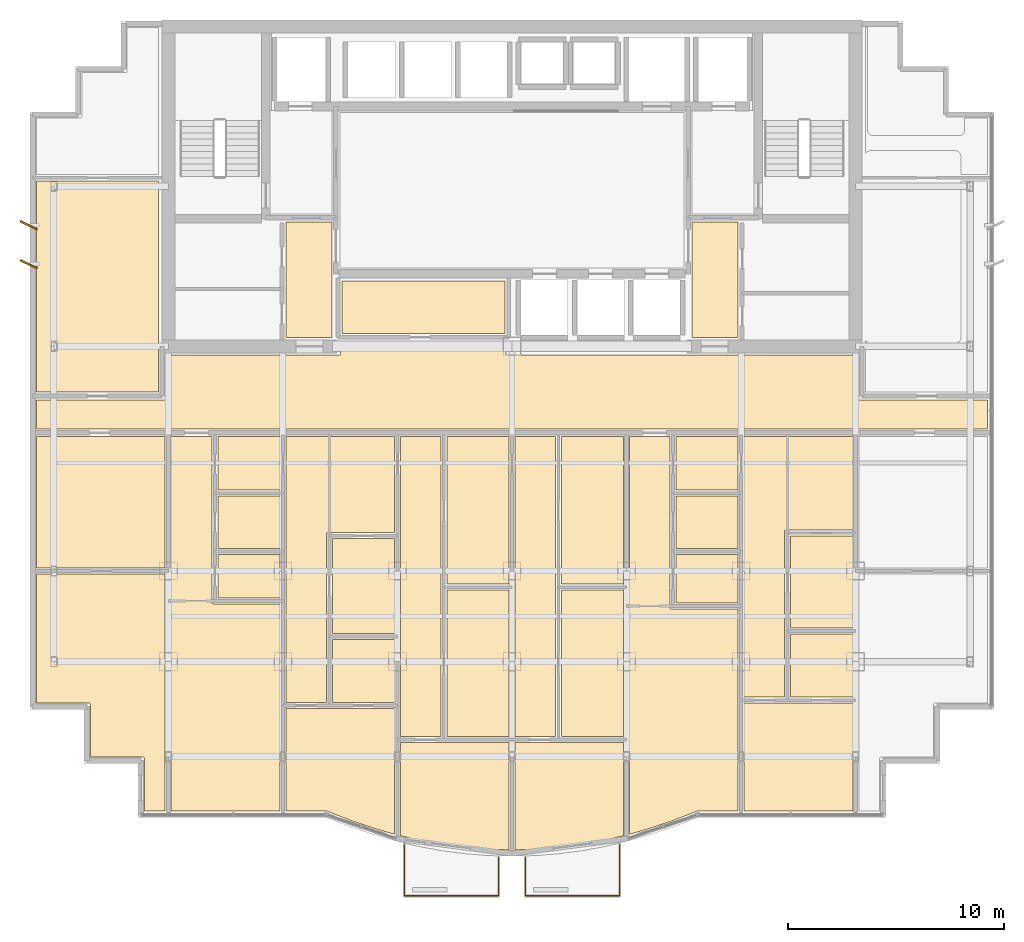
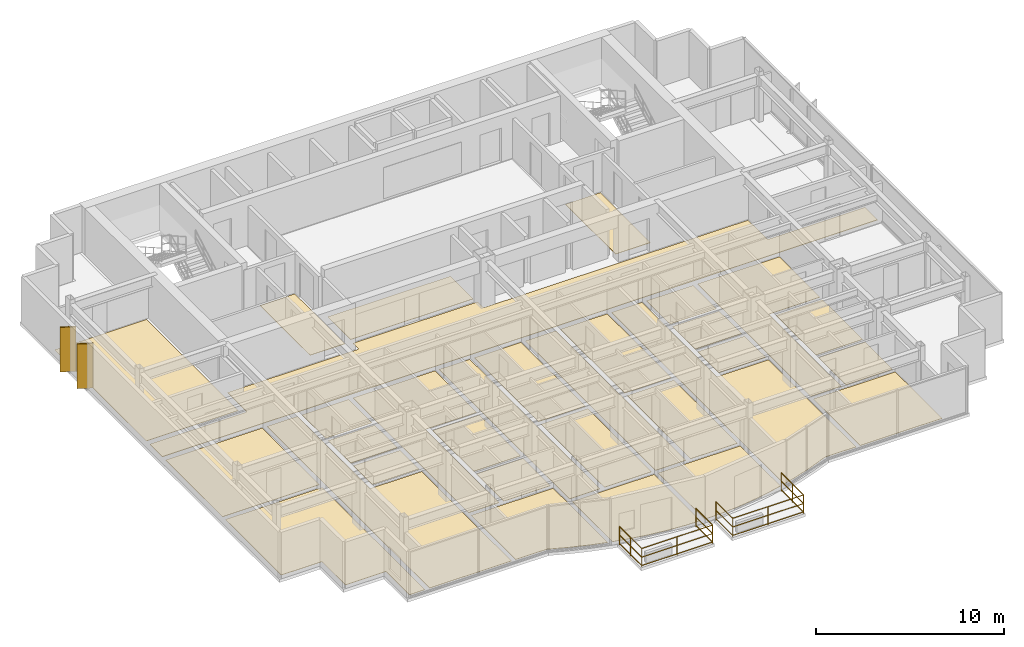
# One storey, part 12 of 13: 31 coverings, 2 railings, 2 shading devices.
"""IFC4 building model written with IfcOpenShell, lengths in metres."""

from ifc_helpers import new_model, si_unit, direction, frame, origin, origin_2d, place, context, subcontext, project, spatial, polyline, rectangle, circle, outline, extrude, source, transform, mapped, material, layer, layer_set, type_object, element, save


model = new_model("IFC4")

# Units and contexts
model_context = context("Model", 3, precision=1e-05, world=origin(), true_north=direction((0.0, 1.0)))
body_context = subcontext(model_context, "Body", "Model", "MODEL_VIEW")
ifc_project = project(units=[si_unit("LENGTHUNIT", "METRE"), si_unit("AREAUNIT", "SQUARE_METRE"), si_unit("VOLUMEUNIT", "CUBIC_METRE"), si_unit("PLANEANGLEUNIT", "RADIAN"), si_unit("MASSUNIT", "GRAM", prefix="KILO")], contexts=[model_context])

# Site, building, storey
site_placement = place(None, origin())
site = spatial("IfcSite", under=ifc_project, at=site_placement, CompositionType="ELEMENT")
building_placement = place(site_placement, origin())
building = spatial("IfcBuilding", under=site, at=building_placement, Name="Qianlan Lanfeng Residences", CompositionType="ELEMENT")
storey_placement = place(building_placement, frame((0.0, 0.0, 182.10009765625)))
storey = spatial("IfcBuildingStorey", under=building, at=storey_placement, Name="L50", CompositionType="ELEMENT", Elevation=182.10009765625)

# Coverings
ifc_material_1 = material(Name="Honed Taitung Granite Stone Flooring", Category="masonry")
ifc_layer_1 = layer(ifc_material_1, 0.030029296875)
ifc_layer_set_1 = layer_set([ifc_layer_1], Name="Honed Taitung Granite Stone Flooring")
covering_type_1 = type_object("IfcCoveringType", Name="FLR-STN-30", PredefinedType="FLOORING", material=ifc_layer_set_1)
covering_1_placement = place(storey_placement, origin())
element("IfcCovering", 1, at=covering_1_placement, inside=storey, type_object=covering_type_1, Name="L50 Residential Corridor Floor Finish", PredefinedType="FLOORING", context=body_context, shape_type="SweptSolid", body=[
    extrude(outline(polyline([(4.489990234375, 21.3798828125), (48.510009765625, 21.3798828125), (48.510009765625, 22.719970703125), (42.590087890625, 22.719970703125), (42.5830078125, 22.719970703125), (42.575927734375, 22.720947265625), (42.570068359375, 22.722900390625), (42.56298828125, 22.72509765625), (42.556884765625, 22.72802734375), (42.551025390625, 22.73193359375), (42.5458984375, 22.736083984375), (42.541015625, 22.740966796875), (42.535888671875, 22.74609375), (42.531982421875, 22.7509765625), (42.528076171875, 22.757080078125), (42.52490234375, 22.762939453125), (42.52294921875, 22.77001953125), (42.52099609375, 22.77587890625), (42.52001953125, 22.782958984375), (42.52001953125, 22.7900390625), (42.52001953125, 24.800048828125), (26.300048828125, 24.800048828125), (26.29296875, 24.800048828125), (26.285888671875, 24.801025390625), (26.280029296875, 24.802978515625), (26.27294921875, 24.804931640625), (26.26708984375, 24.80810546875), (26.260986328125, 24.81201171875), (26.256103515625, 24.81591796875), (26.2509765625, 24.821044921875), (26.24609375, 24.825927734375), (26.241943359375, 24.8310546875), (26.238037109375, 24.8369140625), (26.235107421875, 24.843017578125), (26.23291015625, 24.85009765625), (26.23095703125, 24.85595703125), (26.22998046875, 24.863037109375), (26.22998046875, 24.8701171875), (26.22998046875, 25.429931640625), (18.570068359375, 25.429931640625), (18.570068359375, 24.8701171875), (18.570068359375, 24.863037109375), (18.569091796875, 24.85595703125), (18.56689453125, 24.85009765625), (18.56494140625, 24.843017578125), (18.56201171875, 24.8369140625), (18.55810546875, 24.8310546875), (18.553955078125, 24.825927734375), (18.549072265625, 24.821044921875), (18.5439453125, 24.81591796875), (18.5390625, 24.81201171875), (18.532958984375, 24.80810546875), (18.527099609375, 24.804931640625), (18.52001953125, 24.802978515625), (18.513916015625, 24.801025390625), (18.507080078125, 24.800048828125), (18.5, 24.800048828125), (10.47998046875, 24.800048828125), (10.47998046875, 22.7900390625), (10.47998046875, 22.782958984375), (10.47900390625, 22.77587890625), (10.47705078125, 22.77001953125), (10.47509765625, 22.762939453125), (10.471923828125, 22.757080078125), (10.468017578125, 22.7509765625), (10.464111328125, 22.74609375), (10.458984375, 22.740966796875), (10.4541015625, 22.736083984375), (10.448974609375, 22.73193359375), (10.443115234375, 22.72802734375), (10.43701171875, 22.72509765625), (10.429931640625, 22.722900390625), (10.424072265625, 22.720947265625), (10.4169921875, 22.719970703125), (10.409912109375, 22.719970703125), (4.489990234375, 22.719970703125), (4.489990234375, 21.3798828125)])), origin(), (0.0, 0.0, 1.0), 0.02978515625),
])
covering_2_placement = place(storey_placement, origin())
element("IfcCovering", 2, at=covering_2_placement, inside=storey, type_object=covering_type_1, Name="L50 Lift Lobby Floor Finish", PredefinedType="FLOORING", context=body_context, shape_type="SweptSolid", body=[
    extrude(outline(polyline([(16.030029296875, 25.610107421875), (18.169921875, 25.610107421875), (18.169921875, 30.949951171875), (16.030029296875, 30.949951171875), (16.030029296875, 25.610107421875)])), origin(), (0.0, 0.0, 1.0), 0.02978515625),
])
covering_3_placement = place(storey_placement, origin())
element("IfcCovering", 3, at=covering_3_placement, inside=storey, type_object=covering_type_1, Name="L50 Lift Lobby Floor Finish", PredefinedType="FLOORING", context=body_context, shape_type="SweptSolid", body=[
    extrude(outline(polyline([(34.830078125, 25.610107421875), (36.969970703125, 25.610107421875), (36.969970703125, 30.949951171875), (34.830078125, 30.949951171875), (34.830078125, 25.610107421875)])), origin(), (0.0, 0.0, 1.0), 0.02978515625),
])
ifc_material_2 = material(Name="Slip-Resistant Porcelain Tile Flooring")
ifc_layer_2 = layer(ifc_material_2, 0.02001953125)
ifc_layer_set_2 = layer_set([ifc_layer_2], Name="Slip-Resistant Porcelain Tile Flooring")
covering_type_2 = type_object("IfcCoveringType", Name="FLR-TIL-20", PredefinedType="FLOORING", material=ifc_layer_set_2)
covering_4_placement = place(storey_placement, origin())
element("IfcCovering", 4, at=covering_4_placement, inside=storey, type_object=covering_type_2, Name="L50 Kitchen Floor Finish", PredefinedType="FLOORING", context=body_context, shape_type="SweptSolid", body=[
    extrude(outline(polyline([(12.889892578125, 15.840087890625), (15.760009765625, 15.840087890625), (15.760009765625, 18.260009765625), (12.889892578125, 18.260009765625), (12.889892578125, 15.840087890625)])), origin(), (0.0, 0.0, 1.0), 0.02001953125),
])
covering_5_placement = place(storey_placement, origin())
element("IfcCovering", 5, at=covering_5_placement, inside=storey, type_object=covering_type_2, Name="L50 Bathroom Floor Finish", PredefinedType="FLOORING", context=body_context, shape_type="SweptSolid", body=[
    extrude(outline(polyline([(12.889892578125, 18.5400390625), (15.760009765625, 18.5400390625), (15.760009765625, 21.030029296875), (12.889892578125, 21.030029296875), (12.889892578125, 18.5400390625)])), origin(), (0.0, 0.0, 1.0), 0.02001953125),
])
covering_6_placement = place(storey_placement, origin())
element("IfcCovering", 6, at=covering_6_placement, inside=storey, type_object=covering_type_2, Name="L50 En-Suite Bathroom Floor Finish", PredefinedType="FLOORING", context=body_context, shape_type="SweptSolid", body=[
    extrude(outline(polyline([(18.18994140625, 8.714111328125), (21.070068359375, 8.714111328125), (21.070068359375, 11.634033203125), (18.18994140625, 11.634033203125), (18.18994140625, 8.714111328125)])), origin(), (0.0, 0.0, 1.0), 0.02001953125),
])
covering_7_placement = place(storey_placement, origin())
element("IfcCovering", 7, at=covering_7_placement, inside=storey, type_object=covering_type_2, Name="L50 Kitchen Floor Finish", PredefinedType="FLOORING", context=body_context, shape_type="SweptSolid", body=[
    extrude(outline(polyline([(34.090087890625, 15.840087890625), (36.9599609375, 15.840087890625), (36.9599609375, 18.260009765625), (34.090087890625, 18.260009765625), (34.090087890625, 15.840087890625)])), origin(), (0.0, 0.0, 1.0), 0.02001953125),
])
covering_8_placement = place(storey_placement, origin())
element("IfcCovering", 8, at=covering_8_placement, inside=storey, type_object=covering_type_2, Name="L50 Bathroom Floor Finish", PredefinedType="FLOORING", context=body_context, shape_type="SweptSolid", body=[
    extrude(outline(polyline([(34.090087890625, 18.5400390625), (36.9599609375, 18.5400390625), (36.9599609375, 21.030029296875), (34.090087890625, 21.030029296875), (34.090087890625, 18.5400390625)])), origin(), (0.0, 0.0, 1.0), 0.02001953125),
])
covering_9_placement = place(storey_placement, origin())
element("IfcCovering", 9, at=covering_9_placement, inside=storey, type_object=covering_type_2, Name="L50 En-Suite Bathroom Floor Finish", PredefinedType="FLOORING", context=body_context, shape_type="SweptSolid", body=[
    extrude(outline(polyline([(39.389892578125, 8.9599609375), (42.27001953125, 8.9599609375), (42.27001953125, 11.8798828125), (39.389892578125, 11.8798828125), (39.389892578125, 8.9599609375)])), origin(), (0.0, 0.0, 1.0), 0.02001953125),
])
ifc_material_3 = material(Name="Engineered Smoked Oak Timber Flooring", Category="wood")
ifc_layer_3 = layer(ifc_material_3, 0.02197265625)
ifc_layer_set_3 = layer_set([ifc_layer_3], Name="Engineered Smoked Oak Timber Flooring")
covering_type_3 = type_object("IfcCoveringType", Name="FLR-TIM-22", PredefinedType="FLOORING", material=ifc_layer_set_3)
covering_10_placement = place(storey_placement, origin())
element("IfcCovering", 10, at=covering_10_placement, inside=storey, type_object=covering_type_3, Name="L50 Resident Study Salon Floor Finish", PredefinedType="FLOORING", context=body_context, shape_type="SweptSolid", body=[
    extrude(outline(polyline([(18.6298828125, 25.800048828125), (26.169921875, 25.800048828125), (26.169921875, 28.22998046875), (18.6298828125, 28.22998046875), (18.6298828125, 25.800048828125)])), origin(), (0.0, 0.0, 1.0), 0.02197265625),
])
covering_11_placement = place(storey_placement, origin())
element("IfcCovering", 11, at=covering_11_placement, inside=storey, type_object=covering_type_3, Name="L50 Living and Dining Room Floor Finish", PredefinedType="FLOORING", context=body_context, shape_type="SweptSolid", body=[
    extrude(outline(polyline([(15.77001953125, 3.68994140625), (15.77001953125, 13.280029296875), (12.679931640625, 13.280029296875), (12.673095703125, 13.280029296875), (12.666015625, 13.281005859375), (12.659912109375, 13.282958984375), (12.653076171875, 13.284912109375), (12.64697265625, 13.2880859375), (12.64111328125, 13.2919921875), (12.635986328125, 13.2958984375), (12.631103515625, 13.301025390625), (12.6259765625, 13.305908203125), (12.6220703125, 13.31103515625), (12.617919921875, 13.31689453125), (12.614990234375, 13.322998046875), (12.613037109375, 13.330078125), (12.611083984375, 13.3359375), (12.610107421875, 13.343017578125), (12.610107421875, 13.35009765625), (12.610107421875, 21.030029296875), (10.72998046875, 21.030029296875), (10.72998046875, 3.68994140625), (15.77001953125, 3.68994140625)])), origin(), (0.0, 0.0, 1.0), 0.02197265625),
])
covering_12_placement = place(storey_placement, origin())
element("IfcCovering", 12, at=covering_12_placement, inside=storey, type_object=covering_type_3, Name="L50 Private Study Floor Finish", PredefinedType="FLOORING", context=body_context, shape_type="SweptSolid", body=[
    extrude(outline(polyline([(12.889892578125, 15.56005859375), (12.889892578125, 13.56005859375), (15.77001953125, 13.56005859375), (15.77001953125, 15.56005859375), (12.889892578125, 15.56005859375)])), origin(), (0.0, 0.0, 1.0), 0.02197265625),
])
covering_13_placement = place(storey_placement, origin())
element("IfcCovering", 13, at=covering_13_placement, inside=storey, type_object=covering_type_3, Name="L50 Private Study Floor Finish", PredefinedType="FLOORING", context=body_context, shape_type="SweptSolid", body=[
    extrude(outline(polyline([(18.18994140625, 11.9140625), (21.070068359375, 11.9140625), (21.070068359375, 16.297119140625), (18.18994140625, 16.297119140625), (18.18994140625, 11.9140625)])), origin(), (0.0, 0.0, 1.0), 0.02197265625),
])
covering_14_placement = place(storey_placement, origin())
element("IfcCovering", 14, at=covering_14_placement, inside=storey, type_object=covering_type_3, Name="L50 Villa Family Sitting Room Floor Finish", PredefinedType="FLOORING", context=body_context, shape_type="SweptSolid", body=[
    extrude(outline(polyline([(16.030029296875, 8.714111328125), (17.909912109375, 8.714111328125), (17.909912109375, 16.507080078125), (17.909912109375, 16.513916015625), (17.910888671875, 16.52099609375), (17.9130859375, 16.527099609375), (17.9150390625, 16.533935546875), (17.91796875, 16.5400390625), (17.922119140625, 16.5458984375), (17.926025390625, 16.551025390625), (17.930908203125, 16.555908203125), (17.93603515625, 16.56103515625), (17.94091796875, 16.56494140625), (17.947021484375, 16.569091796875), (17.952880859375, 16.572021484375), (17.9599609375, 16.573974609375), (17.966064453125, 16.575927734375), (17.972900390625, 16.576904296875), (17.97998046875, 16.576904296875), (21.070068359375, 16.576904296875), (21.070068359375, 21.030029296875), (16.030029296875, 21.030029296875), (16.030029296875, 8.714111328125)])), origin(), (0.0, 0.0, 1.0), 0.02197265625),
])
covering_15_placement = place(storey_placement, origin())
element("IfcCovering", 15, at=covering_15_placement, inside=storey, type_object=covering_type_3, Name="L50 Master Bedroom Floor Finish", PredefinedType="FLOORING", context=body_context, shape_type="SweptSolid", body=[
    extrude(outline(polyline([(16.030029296875, 8.43408203125), (16.030029296875, 3.68994140625), (17.922119140625, 3.68994140625), (17.927978515625, 3.68994140625), (17.93505859375, 3.68896484375), (17.94091796875, 3.68701171875), (17.947021484375, 3.68505859375), (19.056884765625, 3.25), (20.1220703125, 2.888916015625), (21.070068359375, 2.616943359375), (21.070068359375, 8.43408203125), (16.030029296875, 8.43408203125)])), origin(), (0.0, 0.0, 1.0), 0.02197265625),
])
covering_16_placement = place(storey_placement, origin())
element("IfcCovering", 16, at=covering_16_placement, inside=storey, type_object=covering_type_3, Name="L50 Bedroom Floor Finish", PredefinedType="FLOORING", context=body_context, shape_type="SweptSolid", body=[
    extrude(outline(polyline([(21.330078125, 6.85888671875), (21.330078125, 2.550048828125), (22.2490234375, 2.333984375), (23.31201171875, 2.139892578125), (24.375, 2.001953125), (25.43701171875, 1.91796875), (26.3701171875, 1.89306640625), (26.3701171875, 6.85888671875), (21.330078125, 6.85888671875)])), origin(), (0.0, 0.0, 1.0), 0.02197265625),
])
covering_17_placement = place(storey_placement, origin())
element("IfcCovering", 17, at=covering_17_placement, inside=storey, type_object=covering_type_3, Name="L50 Private Study Floor Finish", PredefinedType="FLOORING", context=body_context, shape_type="SweptSolid", body=[
    extrude(outline(polyline([(23.489990234375, 7.138916015625), (26.3701171875, 7.138916015625), (26.3701171875, 13.909912109375), (23.489990234375, 13.909912109375), (23.489990234375, 7.138916015625)])), origin(), (0.0, 0.0, 1.0), 0.02197265625),
])
covering_18_placement = place(storey_placement, origin())
element("IfcCovering", 18, at=covering_18_placement, inside=storey, type_object=covering_type_3, Name="L50 Fitness Gymnasium Floor Finish", PredefinedType="FLOORING", context=body_context, shape_type="SweptSolid", body=[
    extrude(outline(polyline([(23.489990234375, 14.18994140625), (26.3701171875, 14.18994140625), (26.3701171875, 21.030029296875), (23.489990234375, 21.030029296875), (23.489990234375, 14.18994140625)])), origin(), (0.0, 0.0, 1.0), 0.02197265625),
])
covering_19_placement = place(storey_placement, origin())
element("IfcCovering", 19, at=covering_19_placement, inside=storey, type_object=covering_type_3, Name="L50 Home Office Floor Finish", PredefinedType="FLOORING", context=body_context, shape_type="SweptSolid", body=[
    extrude(outline(polyline([(21.330078125, 7.138916015625), (23.2099609375, 7.138916015625), (23.2099609375, 21.030029296875), (21.330078125, 21.030029296875), (21.330078125, 7.138916015625)])), origin(), (0.0, 0.0, 1.0), 0.02197265625),
])
covering_20_placement = place(storey_placement, origin())
element("IfcCovering", 20, at=covering_20_placement, inside=storey, type_object=covering_type_3, Name="L50 Guest Bedroom Floor Finish", PredefinedType="FLOORING", context=body_context, shape_type="SweptSolid", body=[
    extrude(outline(polyline([(26.6298828125, 6.85888671875), (26.6298828125, 1.89306640625), (27.56298828125, 1.91796875), (28.625, 2.0009765625), (29.68701171875, 2.139892578125), (30.7509765625, 2.333984375), (31.669921875, 2.550048828125), (31.669921875, 6.85888671875), (26.6298828125, 6.85888671875)])), origin(), (0.0, 0.0, 1.0), 0.02197265625),
])
covering_21_placement = place(storey_placement, origin())
element("IfcCovering", 21, at=covering_21_placement, inside=storey, type_object=covering_type_3, Name="L50 Private Study Floor Finish", PredefinedType="FLOORING", context=body_context, shape_type="SweptSolid", body=[
    extrude(outline(polyline([(28.7900390625, 7.138916015625), (31.669921875, 7.138916015625), (31.669921875, 13.909912109375), (28.7900390625, 13.909912109375), (28.7900390625, 7.138916015625)])), origin(), (0.0, 0.0, 1.0), 0.02197265625),
])
covering_22_placement = place(storey_placement, origin())
element("IfcCovering", 22, at=covering_22_placement, inside=storey, type_object=covering_type_3, Name="L50 Fitness Gymnasium Floor Finish", PredefinedType="FLOORING", context=body_context, shape_type="SweptSolid", body=[
    extrude(outline(polyline([(28.7900390625, 14.18994140625), (31.669921875, 14.18994140625), (31.669921875, 21.030029296875), (28.7900390625, 21.030029296875), (28.7900390625, 14.18994140625)])), origin(), (0.0, 0.0, 1.0), 0.02197265625),
])
covering_23_placement = place(storey_placement, origin())
element("IfcCovering", 23, at=covering_23_placement, inside=storey, type_object=covering_type_3, Name="L50 Home Office Floor Finish", PredefinedType="FLOORING", context=body_context, shape_type="SweptSolid", body=[
    extrude(outline(polyline([(26.6298828125, 7.138916015625), (28.510009765625, 7.138916015625), (28.510009765625, 21.030029296875), (26.6298828125, 21.030029296875), (26.6298828125, 7.138916015625)])), origin(), (0.0, 0.0, 1.0), 0.02197265625),
])
covering_24_placement = place(storey_placement, origin())
element("IfcCovering", 24, at=covering_24_placement, inside=storey, type_object=covering_type_3, Name="L50 Living and Dining Room Floor Finish", PredefinedType="FLOORING", context=body_context, shape_type="SweptSolid", body=[
    extrude(outline(polyline([(36.969970703125, 3.68994140625), (36.969970703125, 13.033935546875), (33.8798828125, 13.033935546875), (33.873046875, 13.033935546875), (33.865966796875, 13.034912109375), (33.860107421875, 13.037109375), (33.85302734375, 13.0390625), (33.846923828125, 13.0419921875), (33.841064453125, 13.0458984375), (33.8359375, 13.050048828125), (33.8310546875, 13.054931640625), (33.825927734375, 13.06005859375), (33.822021484375, 13.06494140625), (33.818115234375, 13.071044921875), (33.81494140625, 13.076904296875), (33.81298828125, 13.083984375), (33.81103515625, 13.090087890625), (33.81005859375, 13.096923828125), (33.81005859375, 13.10400390625), (33.81005859375, 21.030029296875), (31.929931640625, 21.030029296875), (31.929931640625, 2.616943359375), (32.8779296875, 2.888916015625), (33.94189453125, 3.25), (35.052978515625, 3.68505859375), (35.05908203125, 3.68701171875), (35.06494140625, 3.68896484375), (35.072021484375, 3.68994140625), (35.077880859375, 3.68994140625), (36.969970703125, 3.68994140625)])), origin(), (0.0, 0.0, 1.0), 0.02197265625),
])
covering_25_placement = place(storey_placement, origin())
element("IfcCovering", 25, at=covering_25_placement, inside=storey, type_object=covering_type_3, Name="L50 Private Study Floor Finish", PredefinedType="FLOORING", context=body_context, shape_type="SweptSolid", body=[
    extrude(outline(polyline([(34.090087890625, 15.56005859375), (34.090087890625, 13.31396484375), (36.969970703125, 13.31396484375), (36.969970703125, 15.56005859375), (34.090087890625, 15.56005859375)])), origin(), (0.0, 0.0, 1.0), 0.02197265625),
])
covering_26_placement = place(storey_placement, origin())
element("IfcCovering", 26, at=covering_26_placement, inside=storey, type_object=covering_type_3, Name="L50 Private Study Floor Finish", PredefinedType="FLOORING", context=body_context, shape_type="SweptSolid", body=[
    extrude(outline(polyline([(39.389892578125, 12.159912109375), (42.27001953125, 12.159912109375), (42.27001953125, 16.419921875), (39.389892578125, 16.419921875), (39.389892578125, 12.159912109375)])), origin(), (0.0, 0.0, 1.0), 0.02197265625),
])
covering_27_placement = place(storey_placement, origin())
element("IfcCovering", 27, at=covering_27_placement, inside=storey, type_object=covering_type_3, Name="L50 Villa Family Sitting Room Floor Finish", PredefinedType="FLOORING", context=body_context, shape_type="SweptSolid", body=[
    extrude(outline(polyline([(37.22998046875, 8.9599609375), (39.110107421875, 8.9599609375), (39.110107421875, 16.6298828125), (39.110107421875, 16.636962890625), (39.111083984375, 16.64404296875), (39.113037109375, 16.64990234375), (39.114990234375, 16.656982421875), (39.117919921875, 16.6630859375), (39.1220703125, 16.6689453125), (39.1259765625, 16.674072265625), (39.131103515625, 16.678955078125), (39.135986328125, 16.68408203125), (39.14111328125, 16.68798828125), (39.14697265625, 16.69189453125), (39.153076171875, 16.695068359375), (39.159912109375, 16.697021484375), (39.166015625, 16.698974609375), (39.173095703125, 16.699951171875), (39.179931640625, 16.699951171875), (42.27001953125, 16.699951171875), (42.27001953125, 21.030029296875), (37.22998046875, 21.030029296875), (37.22998046875, 8.9599609375)])), origin(), (0.0, 0.0, 1.0), 0.02197265625),
])
covering_28_placement = place(storey_placement, origin())
element("IfcCovering", 28, at=covering_28_placement, inside=storey, type_object=covering_type_3, Name="L50 Master Bedroom Floor Finish", PredefinedType="FLOORING", context=body_context, shape_type="SweptSolid", body=[
    extrude(outline(polyline([(37.22998046875, 8.679931640625), (37.22998046875, 3.68994140625), (42.27001953125, 3.68994140625), (42.27001953125, 8.679931640625), (37.22998046875, 8.679931640625)])), origin(), (0.0, 0.0, 1.0), 0.02197265625),
])
covering_29_placement = place(storey_placement, origin())
element("IfcCovering", 29, at=covering_29_placement, inside=storey, type_object=covering_type_3, Name="L50 Sunroom Floor Finish", PredefinedType="FLOORING", context=body_context, shape_type="SweptSolid", body=[
    extrude(outline(polyline([(10.43994140625, 14.64990234375), (4.489990234375, 14.64990234375), (4.489990234375, 8.68994140625), (6.919921875, 8.68994140625), (6.927001953125, 8.68994140625), (6.93408203125, 8.68896484375), (6.93994140625, 8.68701171875), (6.947021484375, 8.68505859375), (6.952880859375, 8.681884765625), (6.958984375, 8.677978515625), (6.964111328125, 8.674072265625), (6.968994140625, 8.6689453125), (6.97412109375, 8.6640625), (6.97802734375, 8.658935546875), (6.98193359375, 8.653076171875), (6.985107421875, 8.64697265625), (6.987060546875, 8.639892578125), (6.989013671875, 8.634033203125), (6.989990234375, 8.626953125), (6.989990234375, 8.6201171875), (6.989990234375, 6.18994140625), (9.419921875, 6.18994140625), (9.427001953125, 6.18994140625), (9.43408203125, 6.18896484375), (9.43994140625, 6.18701171875), (9.447021484375, 6.18505859375), (9.452880859375, 6.181884765625), (9.458984375, 6.177978515625), (9.464111328125, 6.174072265625), (9.468994140625, 6.1689453125), (9.47412109375, 6.1640625), (9.47802734375, 6.158935546875), (9.48193359375, 6.153076171875), (9.485107421875, 6.14697265625), (9.487060546875, 6.139892578125), (9.489013671875, 6.134033203125), (9.489990234375, 6.126953125), (9.489990234375, 6.1201171875), (9.489990234375, 3.68994140625), (10.43994140625, 3.68994140625), (10.43994140625, 14.64990234375)])), origin(), (0.0, 0.0, 1.0), 0.02197265625),
])
covering_30_placement = place(storey_placement, origin())
element("IfcCovering", 30, at=covering_30_placement, inside=storey, type_object=covering_type_3, Name="L50 Family Sitting Room Floor Finish", PredefinedType="FLOORING", context=body_context, shape_type="SweptSolid", body=[
    extrude(outline(polyline([(10.43994140625, 21.030029296875), (4.489990234375, 21.030029296875), (4.489990234375, 14.949951171875), (10.43994140625, 14.949951171875), (10.43994140625, 21.030029296875)])), origin(), (0.0, 0.0, 1.0), 0.02197265625),
])
covering_31_placement = place(storey_placement, origin())
element("IfcCovering", 31, at=covering_31_placement, inside=storey, type_object=covering_type_3, Name="L50 Conservatory Salon Floor Finish", PredefinedType="FLOORING", context=body_context, shape_type="SweptSolid", body=[
    extrude(outline(polyline([(10.14990234375, 32.85009765625), (4.489990234375, 32.85009765625), (4.489990234375, 23.080078125), (10.14990234375, 23.080078125), (10.14990234375, 32.85009765625)])), origin(), (0.0, 0.0, 1.0), 0.02197265625),
])

# Railings
ifc_material_4 = material(Name="Anodised Bronze Aluminium and Laminated Glass Guard Balustrade", Category="aluminium")
railing_type = type_object("IfcRailingType", Name="GR-EXT-1220", PredefinedType="BALUSTRADE", material=ifc_material_4)
railing_1_placement = place(storey_placement, frame((25.8798828125, 1.5458984375, 0.0)))
element("IfcRailing", 32, at=railing_1_placement, inside=storey, type_object=railing_type, Name="L50 Terrace Safety Guard GR-L50-SB-W", PredefinedType="BALUSTRADE", context=body_context, shape_type="SweptSolid", body=[
    extrude(circle(Radius=0.02490234375, at=origin_2d()), frame((0.0, 0.0, 0.0849609375), z_axis=(0.0, -1.0, 0.0), x_axis=(1.0, 0.0, 0.0)), (0.0, 0.0, 1.0), 1.77587890625),
    extrude(circle(Radius=0.02490234375, at=origin_2d()), frame((0.0, 0.0, 0.63427734375), z_axis=(0.0, -1.0, 0.0), x_axis=(1.0, 0.0, 0.0)), (0.0, 0.0, 1.0), 1.77587890625),
    extrude(circle(Radius=0.02490234375, at=origin_2d()), frame((0.0, 0.0, 1.19482421875), z_axis=(0.0, -1.0, 0.0), x_axis=(1.0, 0.0, 0.0)), (0.0, 0.0, 1.0), 1.77587890625),
    extrude(circle(Radius=0.02490234375, at=origin_2d()), frame((0.0, -1.77587890625, 0.0849609375), z_axis=(-1.0, 0.0, 0.0), x_axis=(0.0, -1.0, 0.0)), (0.0, 0.0, 1.0), 4.35986328125),
    extrude(circle(Radius=0.02490234375, at=origin_2d()), frame((0.0, -1.77587890625, 0.63427734375), z_axis=(-1.0, 0.0, 0.0), x_axis=(0.0, -1.0, 0.0)), (0.0, 0.0, 1.0), 4.35986328125),
    extrude(circle(Radius=0.02490234375, at=origin_2d()), frame((0.0, -1.77587890625, 1.19482421875), z_axis=(-1.0, 0.0, 0.0), x_axis=(0.0, -1.0, 0.0)), (0.0, 0.0, 1.0), 4.35986328125),
    extrude(circle(Radius=0.02490234375, at=origin_2d()), frame((-4.35986328125, -1.77587890625, 0.0849609375), z_axis=(0.0, 1.0, 0.0), x_axis=(-1.0, 0.0, 0.0)), (0.0, 0.0, 1.0), 2.365966796875),
    extrude(circle(Radius=0.02490234375, at=origin_2d()), frame((-4.35986328125, -1.77587890625, 0.63427734375), z_axis=(0.0, 1.0, 0.0), x_axis=(-1.0, 0.0, 0.0)), (0.0, 0.0, 1.0), 2.365966796875),
    extrude(circle(Radius=0.02490234375, at=origin_2d()), frame((-4.35986328125, -1.77587890625, 1.19482421875), z_axis=(0.0, 1.0, 0.0), x_axis=(-1.0, 0.0, 0.0)), (0.0, 0.0, 1.0), 2.365966796875),
    extrude(circle(Radius=0.02099609375, at=origin_2d()), origin(), (0.0, 0.0, 1.0), 1.169921875),
    extrude(circle(Radius=0.02099609375, at=origin_2d()), frame((0.0, -1.77587890625, 0.0)), (0.0, 0.0, 1.0), 1.169921875),
    extrude(circle(Radius=0.02099609375, at=origin_2d()), frame((-2.179931640625, -1.77587890625, 0.0)), (0.0, 0.0, 1.0), 1.169921875),
    extrude(circle(Radius=0.02099609375, at=origin_2d()), frame((-4.35986328125, -1.77587890625, 0.0)), (0.0, 0.0, 1.0), 1.169921875),
    extrude(circle(Radius=0.02099609375, at=origin_2d()), frame((-4.35986328125, -0.5927734375, 0.0)), (0.0, 0.0, 1.0), 1.169921875),
    extrude(circle(Radius=0.02099609375, at=origin_2d()), frame((-4.35986328125, 0.590087890625, 0.0)), (0.0, 0.0, 1.0), 1.169921875),
])
railing_2_placement = place(storey_placement, frame((31.47998046875, 2.135986328125, 0.0)))
element("IfcRailing", 33, at=railing_2_placement, inside=storey, type_object=railing_type, Name="L50 Terrace Safety Guard GR-L50-SB-E", PredefinedType="BALUSTRADE", context=body_context, shape_type="SweptSolid", body=[
    extrude(circle(Radius=0.02490234375, at=origin_2d()), frame((0.0, 0.0, 0.0849609375), z_axis=(0.0, -1.0, 0.0), x_axis=(1.0, 0.0, 0.0)), (0.0, 0.0, 1.0), 2.365966796875),
    extrude(circle(Radius=0.02490234375, at=origin_2d()), frame((0.0, 0.0, 0.63427734375), z_axis=(0.0, -1.0, 0.0), x_axis=(1.0, 0.0, 0.0)), (0.0, 0.0, 1.0), 2.365966796875),
    extrude(circle(Radius=0.02490234375, at=origin_2d()), frame((0.0, 0.0, 1.19482421875), z_axis=(0.0, -1.0, 0.0), x_axis=(1.0, 0.0, 0.0)), (0.0, 0.0, 1.0), 2.365966796875),
    extrude(circle(Radius=0.02490234375, at=origin_2d()), frame((0.0, -2.365966796875, 0.0849609375), z_axis=(-1.0, 0.0, 0.0), x_axis=(0.0, -1.0, 0.0)), (0.0, 0.0, 1.0), 4.35986328125),
    extrude(circle(Radius=0.02490234375, at=origin_2d()), frame((0.0, -2.365966796875, 0.63427734375), z_axis=(-1.0, 0.0, 0.0), x_axis=(0.0, -1.0, 0.0)), (0.0, 0.0, 1.0), 4.35986328125),
    extrude(circle(Radius=0.02490234375, at=origin_2d()), frame((0.0, -2.365966796875, 1.19482421875), z_axis=(-1.0, 0.0, 0.0), x_axis=(0.0, -1.0, 0.0)), (0.0, 0.0, 1.0), 4.35986328125),
    extrude(circle(Radius=0.02490234375, at=origin_2d()), frame((-4.35986328125, -2.365966796875, 0.0849609375), z_axis=(0.0, 1.0, 0.0), x_axis=(-1.0, 0.0, 0.0)), (0.0, 0.0, 1.0), 1.77587890625),
    extrude(circle(Radius=0.02490234375, at=origin_2d()), frame((-4.35986328125, -2.365966796875, 0.63427734375), z_axis=(0.0, 1.0, 0.0), x_axis=(-1.0, 0.0, 0.0)), (0.0, 0.0, 1.0), 1.77587890625),
    extrude(circle(Radius=0.02490234375, at=origin_2d()), frame((-4.35986328125, -2.365966796875, 1.19482421875), z_axis=(0.0, 1.0, 0.0), x_axis=(-1.0, 0.0, 0.0)), (0.0, 0.0, 1.0), 1.77587890625),
    extrude(circle(Radius=0.02099609375, at=origin_2d()), origin(), (0.0, 0.0, 1.0), 1.169921875),
    extrude(circle(Radius=0.02099609375, at=origin_2d()), frame((0.0, -1.18310546875, 0.0)), (0.0, 0.0, 1.0), 1.169921875),
    extrude(circle(Radius=0.02099609375, at=origin_2d()), frame((0.0, -2.365966796875, 0.0)), (0.0, 0.0, 1.0), 1.169921875),
    extrude(circle(Radius=0.02099609375, at=origin_2d()), frame((-2.179931640625, -2.365966796875, 0.0)), (0.0, 0.0, 1.0), 1.169921875),
    extrude(circle(Radius=0.02099609375, at=origin_2d()), frame((-4.35986328125, -2.365966796875, 0.0)), (0.0, 0.0, 1.0), 1.169921875),
    extrude(circle(Radius=0.02099609375, at=origin_2d()), frame((-4.35986328125, -0.590087890625, 0.0)), (0.0, 0.0, 1.0), 1.169921875),
])

# Shading devices
ifc_material_5 = material(Name="Anodised Bronze Aluminium Solar Fin", Category="aluminium")
shading_device_type = type_object("IfcShadingDeviceType", Name="FIN-BRZ-850", PredefinedType="SHUTTER", material=ifc_material_5)
shared_shape = source(origin(), body_context, "Body", "SweptSolid", [
    extrude(rectangle(XDim=0.85009765625, YDim=0.080078125, at=origin_2d()), origin(), (0.0, 0.0, 1.0), 2.89990234375),
])
for number, where, z_axis, x_axis, name in (
    (34, (4.1298828125, 29.0, 0.0), (0.0, 0.0, 1.0), (0.898794046299, -0.438371146789, 0.0), "L50 Raked Bronze Solar Fin W1"),
    (35, (4.1298828125, 30.800048828125, 0.0), (0.0, 0.0, 1.0), (0.898794046299, -0.438371146789, 0.0), "L50 Raked Bronze Solar Fin W2"),
):
    element("IfcShadingDevice", number, at=place(storey_placement, frame(where, z_axis=z_axis, x_axis=x_axis)), inside=storey, type_object=shading_device_type, Name=name, PredefinedType="SHUTTER", context=body_context, shape_type="MappedRepresentation", body=[
        mapped(shared_shape, transform((0.0, 0.0, 0.0), scale=1.0)),
    ])

save(model, "model.ifc")
